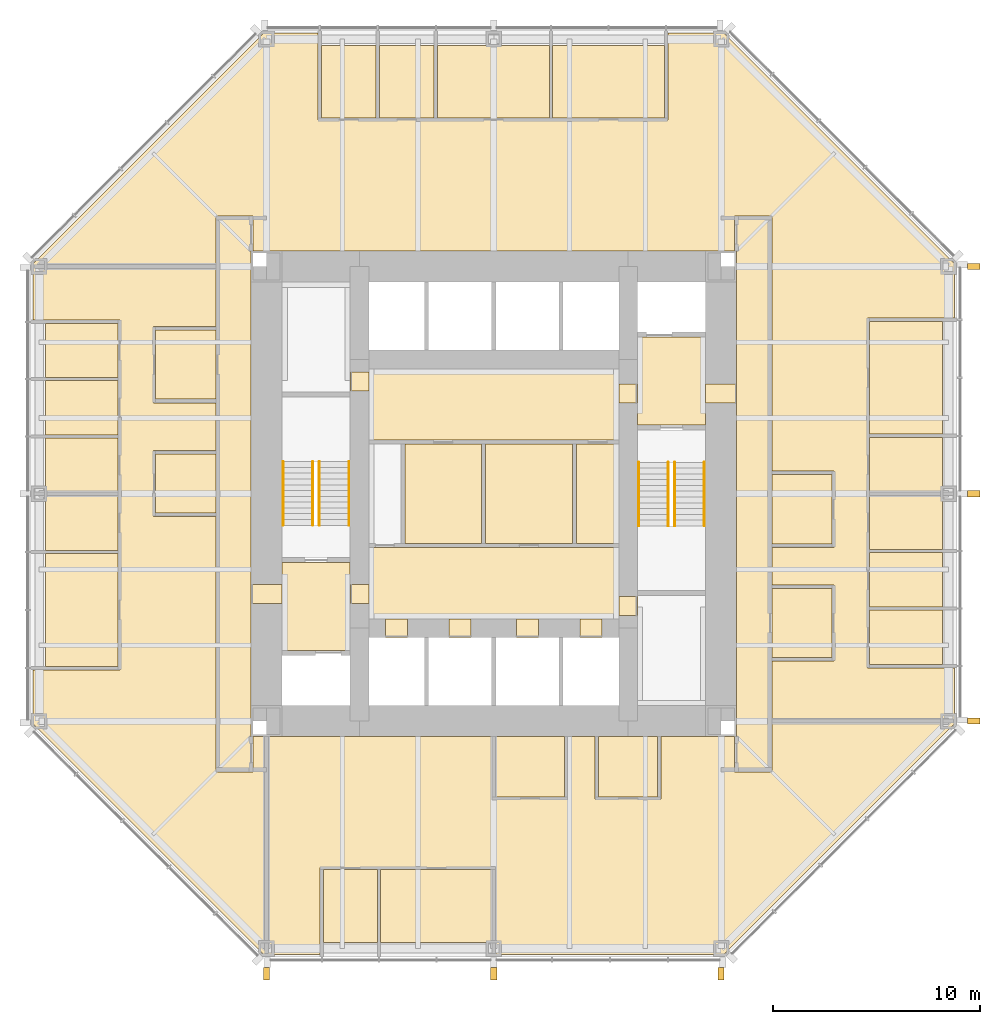
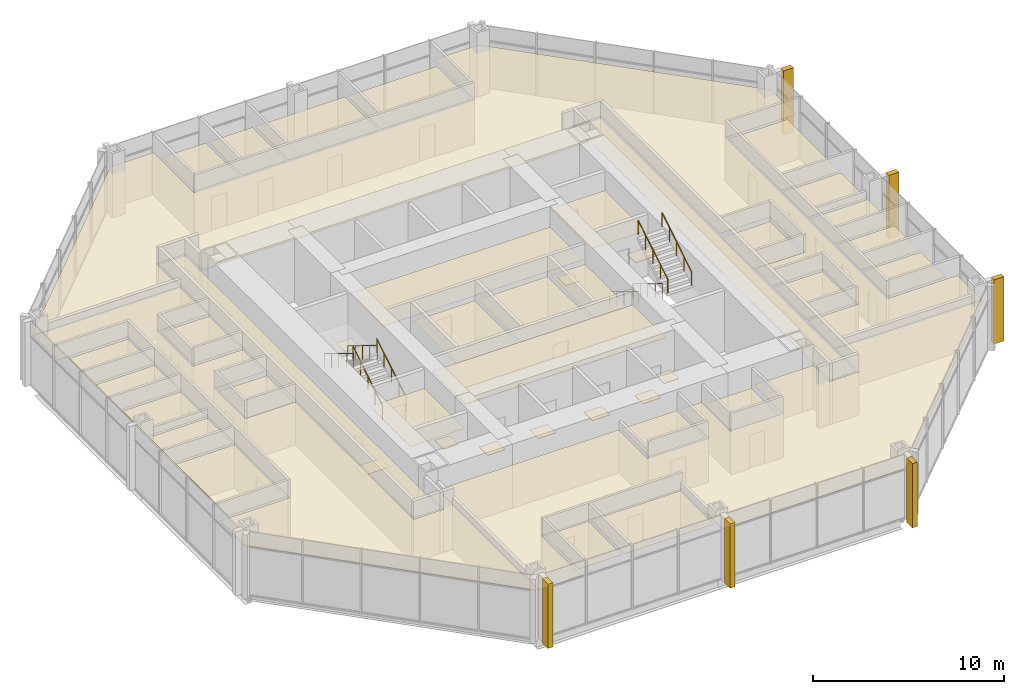
# One storey, part 12 of 12: 50 coverings, 8 railings.
"""IFC4 building model written with IfcOpenShell, lengths in metres."""

from ifc_helpers import new_model, si_unit, direction, frame, origin, origin_2d, place, context, subcontext, project, spatial, polyline, rectangle, circle, outline, extrude, material, layer, layer_set, type_object, element, save


model = new_model("IFC4")

# Units and contexts
model_context = context("Model", 3, precision=1e-05, world=origin(), true_north=direction((0.0, 1.0)))
body_context = subcontext(model_context, "Body", "Model", "MODEL_VIEW")
ifc_project = project(units=[si_unit("LENGTHUNIT", "METRE"), si_unit("AREAUNIT", "SQUARE_METRE"), si_unit("VOLUMEUNIT", "CUBIC_METRE"), si_unit("PLANEANGLEUNIT", "RADIAN"), si_unit("MASSUNIT", "GRAM", prefix="KILO")], contexts=[model_context])

# Site, building, storey
site_placement = place(None, origin())
site = spatial("IfcSite", under=ifc_project, at=site_placement, CompositionType="ELEMENT")
building_placement = place(site_placement, origin())
building = spatial("IfcBuilding", under=site, at=building_placement, Name="Trevanion Tower", CompositionType="ELEMENT")
storey_placement = place(building_placement, frame((0.0, 0.0, 117.199951171875)))
storey = spatial("IfcBuildingStorey", under=building, at=storey_placement, Name="L27", CompositionType="ELEMENT", Elevation=117.199951171875)

# Coverings
ifc_material_1 = material(Name="Fibrous plaster coffers on suspended steel grid", Category="steel")
ifc_layer_1 = layer(ifc_material_1, 0.050048828125)
ifc_layer_set_1 = layer_set([ifc_layer_1], Name="CL1 coffered fibrous plaster ceiling 50")
covering_type_1 = type_object("IfcCoveringType", Name="CL1 coffered fibrous plaster ceiling 50", PredefinedType="CEILING", material=ifc_layer_set_1)
covering_1_placement = place(storey_placement, frame((0.0, 0.0, 3.0)))
element("IfcCovering", 1, at=covering_1_placement, inside=storey, type_object=covering_type_1, Name="CL1 L27-LBS", PredefinedType="CEILING", context=body_context, shape_type="SweptSolid", body=[
    extrude(outline(polyline([(6.050048828125, -6.050048828125), (6.050048828125, -2.60009765625), (-6.050048828125, -2.60009765625), (-6.050048828125, -6.050048828125), (6.050048828125, -6.050048828125)])), origin(), (0.0, 0.0, 1.0), 0.050048828125),
])
ifc_material_2 = material(Name="Mineral fibre acoustic tiles in exposed grid", Category="mineral fibre")
ifc_layer_2 = layer(ifc_material_2, 0.02001953125)
ifc_layer_set_2 = layer_set([ifc_layer_2], Name="CL2 acoustic tile ceiling 20")
covering_type_2 = type_object("IfcCoveringType", Name="CL2 acoustic tile ceiling 20", PredefinedType="CEILING", material=ifc_layer_set_2)
covering_2_placement = place(storey_placement, frame((0.0, 0.0, 2.75)))
element("IfcCovering", 2, at=covering_2_placement, inside=storey, type_object=covering_type_2, Name="CL2 L27-LBN", PredefinedType="CEILING", context=body_context, shape_type="SweptSolid", body=[
    extrude(outline(polyline([(6.050048828125, 2.60009765625), (6.050048828125, 6.050048828125), (-6.050048828125, 6.050048828125), (-6.050048828125, 2.60009765625), (6.050048828125, 2.60009765625)])), origin(), (0.0, 0.0, 1.0), 0.02001953125),
])
covering_3_placement = place(storey_placement, frame((0.0, 0.0, 2.75)))
element("IfcCovering", 3, at=covering_3_placement, inside=storey, type_object=covering_type_2, Name="CL2 L27-CO1", PredefinedType="CEILING", context=body_context, shape_type="SweptSolid", body=[
    extrude(outline(polyline([(-11.75, 13.35009765625), (-11.75, -13.35009765625), (-13.35009765625, -13.35009765625), (-13.35009765625, 13.35009765625), (-11.75, 13.35009765625)])), origin(), (0.0, 0.0, 1.0), 0.02001953125),
])
covering_4_placement = place(storey_placement, frame((0.0, 0.0, 2.75)))
element("IfcCovering", 4, at=covering_4_placement, inside=storey, type_object=covering_type_2, Name="CL2 L27-CO2", PredefinedType="CEILING", context=body_context, shape_type="SweptSolid", body=[
    extrude(outline(polyline([(11.75, 13.35009765625), (13.35009765625, 13.35009765625), (13.35009765625, -13.35009765625), (11.75, -13.35009765625), (11.75, 13.35009765625)])), origin(), (0.0, 0.0, 1.0), 0.02001953125),
])
covering_5_placement = place(storey_placement, frame((0.0, 0.0, 2.75)))
element("IfcCovering", 5, at=covering_5_placement, inside=storey, type_object=covering_type_2, Name="CL2 L27-OF", PredefinedType="CEILING", context=body_context, shape_type="SweptSolid", body=[
    extrude(outline(polyline([(18.175048828125, -8.248046875), (18.175048828125, -5.6240234375), (21.699951171875, -5.6240234375), (21.699951171875, -8.248046875), (18.175048828125, -8.248046875)])), origin(), (0.0, 0.0, 1.0), 0.02001953125),
])
covering_6_placement = place(storey_placement, frame((0.0, 0.0, 2.75)))
element("IfcCovering", 6, at=covering_6_placement, inside=storey, type_object=covering_type_2, Name="CL2 L27-OF2", PredefinedType="CEILING", context=body_context, shape_type="SweptSolid", body=[
    extrude(outline(polyline([(18.175048828125, -5.47412109375), (18.175048828125, -2.85009765625), (21.699951171875, -2.85009765625), (21.699951171875, -5.47412109375), (18.175048828125, -5.47412109375)])), origin(), (0.0, 0.0, 1.0), 0.02001953125),
])
covering_7_placement = place(storey_placement, frame((0.0, 0.0, 2.75)))
element("IfcCovering", 7, at=covering_7_placement, inside=storey, type_object=covering_type_2, Name="CL2 L27-OF3", PredefinedType="CEILING", context=body_context, shape_type="SweptSolid", body=[
    extrude(outline(polyline([(18.175048828125, -2.699951171875), (18.175048828125, -0.074951171875), (21.699951171875, -0.074951171875), (21.699951171875, -2.699951171875), (18.175048828125, -2.699951171875)])), origin(), (0.0, 0.0, 1.0), 0.02001953125),
])
covering_8_placement = place(storey_placement, frame((0.0, 0.0, 2.75)))
element("IfcCovering", 8, at=covering_8_placement, inside=storey, type_object=covering_type_2, Name="CL2 L27-OF4", PredefinedType="CEILING", context=body_context, shape_type="SweptSolid", body=[
    extrude(outline(polyline([(18.175048828125, 0.074951171875), (18.175048828125, 2.73193359375), (21.699951171875, 2.73193359375), (21.699951171875, 0.074951171875), (18.175048828125, 0.074951171875)])), origin(), (0.0, 0.0, 1.0), 0.02001953125),
])
covering_9_placement = place(storey_placement, frame((0.0, 0.0, 2.75)))
element("IfcCovering", 9, at=covering_9_placement, inside=storey, type_object=covering_type_2, Name="CL2 L27-MR", PredefinedType="CEILING", context=body_context, shape_type="SweptSolid", body=[
    extrude(outline(polyline([(18.175048828125, 2.882080078125), (18.175048828125, 8.345947265625), (21.699951171875, 8.345947265625), (21.699951171875, 2.882080078125), (18.175048828125, 2.882080078125)])), origin(), (0.0, 0.0, 1.0), 0.02001953125),
])
covering_10_placement = place(storey_placement, frame((0.0, 0.0, 2.75)))
element("IfcCovering", 10, at=covering_10_placement, inside=storey, type_object=covering_type_2, Name="CL2 L27-MR2", PredefinedType="CEILING", context=body_context, shape_type="SweptSolid", body=[
    extrude(outline(polyline([(8.248046875, 18.175048828125), (2.85009765625, 18.175048828125), (2.85009765625, 21.699951171875), (8.248046875, 21.699951171875), (8.248046875, 18.175048828125)])), origin(), (0.0, 0.0, 1.0), 0.02001953125),
])
covering_11_placement = place(storey_placement, frame((0.0, 0.0, 2.75)))
element("IfcCovering", 11, at=covering_11_placement, inside=storey, type_object=covering_type_2, Name="CL2 L27-MR3", PredefinedType="CEILING", context=body_context, shape_type="SweptSolid", body=[
    extrude(outline(polyline([(2.699951171875, 18.175048828125), (-2.73193359375, 18.175048828125), (-2.73193359375, 21.699951171875), (2.699951171875, 21.699951171875), (2.699951171875, 18.175048828125)])), origin(), (0.0, 0.0, 1.0), 0.02001953125),
])
covering_12_placement = place(storey_placement, frame((0.0, 0.0, 2.75)))
element("IfcCovering", 12, at=covering_12_placement, inside=storey, type_object=covering_type_2, Name="CL2 L27-OF5", PredefinedType="CEILING", context=body_context, shape_type="SweptSolid", body=[
    extrude(outline(polyline([(-2.882080078125, 18.175048828125), (-5.5390625, 18.175048828125), (-5.5390625, 21.699951171875), (-2.882080078125, 21.699951171875), (-2.882080078125, 18.175048828125)])), origin(), (0.0, 0.0, 1.0), 0.02001953125),
])
covering_13_placement = place(storey_placement, frame((0.0, 0.0, 2.75)))
element("IfcCovering", 13, at=covering_13_placement, inside=storey, type_object=covering_type_2, Name="CL2 L27-OF6", PredefinedType="CEILING", context=body_context, shape_type="SweptSolid", body=[
    extrude(outline(polyline([(-5.68896484375, 18.175048828125), (-8.345947265625, 18.175048828125), (-8.345947265625, 21.699951171875), (-5.68896484375, 21.699951171875), (-5.68896484375, 18.175048828125)])), origin(), (0.0, 0.0, 1.0), 0.02001953125),
])
covering_14_placement = place(storey_placement, frame((0.0, 0.0, 2.75)))
element("IfcCovering", 14, at=covering_14_placement, inside=storey, type_object=covering_type_2, Name="CL2 L27-OF7", PredefinedType="CEILING", context=body_context, shape_type="SweptSolid", body=[
    extrude(outline(polyline([(-18.175048828125, 8.248046875), (-18.175048828125, 5.6240234375), (-21.699951171875, 5.6240234375), (-21.699951171875, 8.248046875), (-18.175048828125, 8.248046875)])), origin(), (0.0, 0.0, 1.0), 0.02001953125),
])
covering_15_placement = place(storey_placement, frame((0.0, 0.0, 2.75)))
element("IfcCovering", 15, at=covering_15_placement, inside=storey, type_object=covering_type_2, Name="CL2 L27-OF8", PredefinedType="CEILING", context=body_context, shape_type="SweptSolid", body=[
    extrude(outline(polyline([(-18.175048828125, 5.47412109375), (-18.175048828125, 2.85009765625), (-21.699951171875, 2.85009765625), (-21.699951171875, 5.47412109375), (-18.175048828125, 5.47412109375)])), origin(), (0.0, 0.0, 1.0), 0.02001953125),
])
covering_16_placement = place(storey_placement, frame((0.0, 0.0, 2.75)))
element("IfcCovering", 16, at=covering_16_placement, inside=storey, type_object=covering_type_2, Name="CL2 L27-OF9", PredefinedType="CEILING", context=body_context, shape_type="SweptSolid", body=[
    extrude(outline(polyline([(-18.175048828125, 2.699951171875), (-18.175048828125, 0.074951171875), (-21.699951171875, 0.074951171875), (-21.699951171875, 2.699951171875), (-18.175048828125, 2.699951171875)])), origin(), (0.0, 0.0, 1.0), 0.02001953125),
])
covering_17_placement = place(storey_placement, frame((0.0, 0.0, 2.75)))
element("IfcCovering", 17, at=covering_17_placement, inside=storey, type_object=covering_type_2, Name="CL2 L27-OF10", PredefinedType="CEILING", context=body_context, shape_type="SweptSolid", body=[
    extrude(outline(polyline([(-18.175048828125, -0.074951171875), (-18.175048828125, -2.73193359375), (-21.699951171875, -2.73193359375), (-21.699951171875, -0.074951171875), (-18.175048828125, -0.074951171875)])), origin(), (0.0, 0.0, 1.0), 0.02001953125),
])
covering_18_placement = place(storey_placement, frame((0.0, 0.0, 2.75)))
element("IfcCovering", 18, at=covering_18_placement, inside=storey, type_object=covering_type_2, Name="CL2 L27-MR4", PredefinedType="CEILING", context=body_context, shape_type="SweptSolid", body=[
    extrude(outline(polyline([(-18.175048828125, -2.882080078125), (-18.175048828125, -8.345947265625), (-21.699951171875, -8.345947265625), (-21.699951171875, -2.882080078125), (-18.175048828125, -2.882080078125)])), origin(), (0.0, 0.0, 1.0), 0.02001953125),
])
covering_19_placement = place(storey_placement, frame((0.0, 0.0, 2.75)))
element("IfcCovering", 19, at=covering_19_placement, inside=storey, type_object=covering_type_2, Name="CL2 L27-OF11", PredefinedType="CEILING", context=body_context, shape_type="SweptSolid", body=[
    extrude(outline(polyline([(-8.248046875, -18.175048828125), (-5.6240234375, -18.175048828125), (-5.6240234375, -21.699951171875), (-8.248046875, -21.699951171875), (-8.248046875, -18.175048828125)])), origin(), (0.0, 0.0, 1.0), 0.02001953125),
])
covering_20_placement = place(storey_placement, frame((0.0, 0.0, 2.75)))
element("IfcCovering", 20, at=covering_20_placement, inside=storey, type_object=covering_type_2, Name="CL2 L27-MR5", PredefinedType="CEILING", context=body_context, shape_type="SweptSolid", body=[
    extrude(outline(polyline([(-5.47412109375, -18.175048828125), (-0.074951171875, -18.175048828125), (-0.074951171875, -21.699951171875), (-5.47412109375, -21.699951171875), (-5.47412109375, -18.175048828125)])), origin(), (0.0, 0.0, 1.0), 0.02001953125),
])
covering_21_placement = place(storey_placement, frame((0.0, 0.0, 2.75)))
element("IfcCovering", 21, at=covering_21_placement, inside=storey, type_object=covering_type_2, Name="CL2 L27-RC", PredefinedType="CEILING", context=body_context, shape_type="SweptSolid", body=[
    extrude(outline(polyline([(13.449951171875, -7.925048828125), (13.449951171875, -4.574951171875), (16.375, -4.574951171875), (16.375, -7.925048828125), (13.449951171875, -7.925048828125)])), origin(), (0.0, 0.0, 1.0), 0.02001953125),
])
covering_22_placement = place(storey_placement, frame((0.0, 0.0, 2.75)))
element("IfcCovering", 22, at=covering_22_placement, inside=storey, type_object=covering_type_2, Name="CL2 L27-RC2", PredefinedType="CEILING", context=body_context, shape_type="SweptSolid", body=[
    extrude(outline(polyline([(-13.449951171875, 7.925048828125), (-13.449951171875, 4.574951171875), (-16.375, 4.574951171875), (-16.375, 7.925048828125), (-13.449951171875, 7.925048828125)])), origin(), (0.0, 0.0, 1.0), 0.02001953125),
])
covering_23_placement = place(storey_placement, frame((0.0, 0.0, 2.75)))
element("IfcCovering", 23, at=covering_23_placement, inside=storey, type_object=covering_type_2, Name="CL2 L27-RC3", PredefinedType="CEILING", context=body_context, shape_type="SweptSolid", body=[
    extrude(outline(polyline([(3.425048828125, -14.675048828125), (0.074951171875, -14.675048828125), (0.074951171875, -11.75), (3.425048828125, -11.75), (3.425048828125, -14.675048828125)])), origin(), (0.0, 0.0, 1.0), 0.02001953125),
])
covering_24_placement = place(storey_placement, frame((0.0, 0.0, 2.75)))
element("IfcCovering", 24, at=covering_24_placement, inside=storey, type_object=covering_type_2, Name="CL2 L27-OP", PredefinedType="CEILING", context=body_context, shape_type="SweptSolid", body=[
    extrude(outline(polyline([(11.64990234375, 13.449951171875), (11.64990234375, 11.75), (-11.64990234375, 11.75), (-11.64990234375, 13.449951171875), (-13.449951171875, 13.449951171875), (-13.449951171875, 11.0), (-22.300048828125, 11.0), (-22.300048828125, 11.124267578125), (-11.124267578125, 22.300048828125), (-8.51611328125, 22.300048828125), (-8.51611328125, 18.080078125), (8.41796875, 18.080078125), (8.41796875, 22.300048828125), (11.124267578125, 22.300048828125), (22.300048828125, 11.124267578125), (22.300048828125, 8.51611328125), (18.080078125, 8.51611328125), (18.080078125, -8.41796875), (22.300048828125, -8.41796875), (22.300048828125, -11.0), (13.449951171875, -11.0), (13.449951171875, -8.094970703125), (16.469970703125, -8.094970703125), (16.469970703125, -4.405029296875), (13.449951171875, -4.405029296875), (13.449951171875, -2.594970703125), (16.469970703125, -2.594970703125), (16.469970703125, 1.094970703125), (13.449951171875, 1.094970703125), (13.449951171875, 13.449951171875), (11.64990234375, 13.449951171875)])), origin(), (0.0, 0.0, 1.0), 0.02001953125),
])
covering_25_placement = place(storey_placement, frame((0.0, 0.0, 2.75)))
element("IfcCovering", 25, at=covering_25_placement, inside=storey, type_object=covering_type_2, Name="CL2 L27-OP2", PredefinedType="CEILING", context=body_context, shape_type="SweptSolid", body=[
    extrude(outline(polyline([(-13.449951171875, 8.094970703125), (-16.469970703125, 8.094970703125), (-16.469970703125, 4.405029296875), (-13.449951171875, 4.405029296875), (-13.449951171875, 2.094970703125), (-16.469970703125, 2.094970703125), (-16.469970703125, -1.094970703125), (-13.449951171875, -1.094970703125), (-13.449951171875, -13.449951171875), (-11.64990234375, -13.449951171875), (-11.64990234375, -11.75), (-11.0, -11.75), (-11.0, -22.300048828125), (-11.124267578125, -22.300048828125), (-22.300048828125, -11.124267578125), (-22.300048828125, -8.51611328125), (-18.080078125, -8.51611328125), (-18.080078125, 8.41796875), (-22.300048828125, 8.41796875), (-22.300048828125, 11.0), (-13.449951171875, 11.0), (-13.449951171875, 8.094970703125)])), origin(), (0.0, 0.0, 1.0), 0.02001953125),
])
covering_26_placement = place(storey_placement, frame((0.0, 0.0, 2.75)))
element("IfcCovering", 26, at=covering_26_placement, inside=storey, type_object=covering_type_2, Name="CL2 L27-OP3", PredefinedType="CEILING", context=body_context, shape_type="SweptSolid", body=[
    extrude(outline(polyline([(-0.094970703125, -11.75), (-0.094970703125, -14.77001953125), (3.594970703125, -14.77001953125), (3.594970703125, -11.75), (4.905029296875, -11.75), (4.905029296875, -14.77001953125), (8.094970703125, -14.77001953125), (8.094970703125, -11.75), (11.64990234375, -11.75), (11.64990234375, -13.449951171875), (13.449951171875, -13.449951171875), (13.449951171875, -11.0), (22.300048828125, -11.0), (22.300048828125, -11.124267578125), (11.124267578125, -22.300048828125), (0.094970703125, -22.300048828125), (0.094970703125, -18.080078125), (-8.41796875, -18.080078125), (-8.41796875, -22.300048828125), (-11.0, -22.300048828125), (-11.0, -11.75), (-0.094970703125, -11.75)])), origin(), (0.0, 0.0, 1.0), 0.02001953125),
])
ifc_material_3 = material(Name="Gypsum plasterboard on suspended metal furring", Category="gypsum")
ifc_layer_3 = layer(ifc_material_3, 0.012939453125)
ifc_layer_set_3 = layer_set([ifc_layer_3], Name="CL3 plasterboard ceiling 13")
covering_type_3 = type_object("IfcCoveringType", Name="CL3 plasterboard ceiling 13", PredefinedType="CEILING", material=ifc_layer_set_3)
covering_27_placement = place(storey_placement, frame((0.0, 0.0, 2.699951171875)))
element("IfcCovering", 27, at=covering_27_placement, inside=storey, type_object=covering_type_3, Name="CL3 L27-FV1", PredefinedType="CEILING", context=body_context, shape_type="SweptSolid", body=[
    extrude(outline(polyline([(10.25, 3.324951171875), (10.25, 7.574951171875), (6.949951171875, 7.574951171875), (6.949951171875, 3.324951171875), (10.25, 3.324951171875)])), origin(), (0.0, 0.0, 1.0), 0.01318359375),
])
covering_28_placement = place(storey_placement, frame((0.0, 0.0, 2.699951171875)))
element("IfcCovering", 28, at=covering_28_placement, inside=storey, type_object=covering_type_3, Name="CL3 L27-FV2", PredefinedType="CEILING", context=body_context, shape_type="SweptSolid", body=[
    extrude(outline(polyline([(-10.25, -3.324951171875), (-10.25, -7.574951171875), (-6.949951171875, -7.574951171875), (-6.949951171875, -3.324951171875), (-10.25, -3.324951171875)])), origin(), (0.0, 0.0, 1.0), 0.01318359375),
])
ifc_material_4 = material(Name="Moisture-resistant gypsum board on suspended metal furring", Category="gypsum")
ifc_layer_4 = layer(ifc_material_4, 0.01611328125)
ifc_layer_set_4 = layer_set([ifc_layer_4], Name="CL4 moisture-resistant board ceiling 16")
covering_type_4 = type_object("IfcCoveringType", Name="CL4 moisture-resistant board ceiling 16", PredefinedType="CEILING", material=ifc_layer_set_4)
covering_29_placement = place(storey_placement, frame((0.0, 0.0, 2.60009765625)))
element("IfcCovering", 29, at=covering_29_placement, inside=storey, type_object=covering_type_4, Name="CL4 L27-WCM", PredefinedType="CEILING", context=body_context, shape_type="SweptSolid", body=[
    extrude(outline(polyline([(-0.60009765625, -2.39990234375), (-0.60009765625, 2.39990234375), (-4.300048828125, 2.39990234375), (-4.300048828125, -2.39990234375), (-0.60009765625, -2.39990234375)])), origin(), (0.0, 0.0, 1.0), 0.015869140625),
])
covering_30_placement = place(storey_placement, frame((0.0, 0.0, 2.60009765625)))
element("IfcCovering", 30, at=covering_30_placement, inside=storey, type_object=covering_type_4, Name="CL4 L27-WCF", PredefinedType="CEILING", context=body_context, shape_type="SweptSolid", body=[
    extrude(outline(polyline([(3.800048828125, -2.39990234375), (3.800048828125, 2.39990234375), (-0.39990234375, 2.39990234375), (-0.39990234375, -2.39990234375), (3.800048828125, -2.39990234375)])), origin(), (0.0, 0.0, 1.0), 0.015869140625),
])
covering_31_placement = place(storey_placement, frame((0.0, 0.0, 2.60009765625)))
element("IfcCovering", 31, at=covering_31_placement, inside=storey, type_object=covering_type_4, Name="CL4 L27-WCA", PredefinedType="CEILING", context=body_context, shape_type="SweptSolid", body=[
    extrude(outline(polyline([(6.050048828125, -2.39990234375), (6.050048828125, 2.39990234375), (4.0, 2.39990234375), (4.0, -2.39990234375), (6.050048828125, -2.39990234375)])), origin(), (0.0, 0.0, 1.0), 0.015869140625),
])
covering_32_placement = place(storey_placement, frame((0.0, 0.0, 2.60009765625)))
element("IfcCovering", 32, at=covering_32_placement, inside=storey, type_object=covering_type_4, Name="CL4 L27-PA", PredefinedType="CEILING", context=body_context, shape_type="SweptSolid", body=[
    extrude(outline(polyline([(13.449951171875, -2.425048828125), (13.449951171875, 0.925048828125), (16.375, 0.925048828125), (16.375, -2.425048828125), (13.449951171875, -2.425048828125)])), origin(), (0.0, 0.0, 1.0), 0.015869140625),
])
covering_33_placement = place(storey_placement, frame((0.0, 0.0, 2.60009765625)))
element("IfcCovering", 33, at=covering_33_placement, inside=storey, type_object=covering_type_4, Name="CL4 L27-PA2", PredefinedType="CEILING", context=body_context, shape_type="SweptSolid", body=[
    extrude(outline(polyline([(-13.449951171875, 1.925048828125), (-13.449951171875, -0.925048828125), (-16.375, -0.925048828125), (-16.375, 1.925048828125), (-13.449951171875, 1.925048828125)])), origin(), (0.0, 0.0, 1.0), 0.015869140625),
])
covering_34_placement = place(storey_placement, frame((0.0, 0.0, 2.60009765625)))
element("IfcCovering", 34, at=covering_34_placement, inside=storey, type_object=covering_type_4, Name="CL4 L27-PA3", PredefinedType="CEILING", context=body_context, shape_type="SweptSolid", body=[
    extrude(outline(polyline([(7.925048828125, -14.675048828125), (5.074951171875, -14.675048828125), (5.074951171875, -11.75), (7.925048828125, -11.75), (7.925048828125, -14.675048828125)])), origin(), (0.0, 0.0, 1.0), 0.015869140625),
])
ifc_material_5 = material(Name="Cast bronze fin on aluminium carrier", Category="aluminium")
covering_type_5 = type_object("IfcCoveringType", Name="F1 bronze fin", PredefinedType="CLADDING", material=ifc_material_5)
for number, where, z_axis, x_axis, name in (
    (35, (23.22509765625, -11.0, -0.18994140625), (0.0, 0.0, 1.0), (0.0, 1.0, 0.0), "F1 L27 east -11.0"),
    (36, (23.22509765625, 0.0, -0.18994140625), (0.0, 0.0, 1.0), (0.0, 1.0, 0.0), "F1 L27 east +0.0"),
    (37, (23.22509765625, 11.0, -0.18994140625), (0.0, 0.0, 1.0), (0.0, 1.0, 0.0), "F1 L27 east +11.0"),
    (38, (-11.0, -23.22509765625, -0.18994140625), (0.0, 0.0, 1.0), (1.0, 0.0, 0.0), "F1 L27 south -11.0"),
    (39, (0.0, -23.22509765625, -0.18994140625), (0.0, 0.0, 1.0), (1.0, 0.0, 0.0), "F1 L27 south +0.0"),
    (40, (11.0, -23.22509765625, -0.18994140625), (0.0, 0.0, 1.0), (1.0, 0.0, 0.0), "F1 L27 south +11.0"),
):
    element("IfcCovering", number, at=place(storey_placement, frame(where, z_axis=z_axis, x_axis=x_axis)), inside=storey, type_object=covering_type_5, Name=name, PredefinedType="CLADDING", context=body_context, shape_type="SweptSolid", body=[
        extrude(rectangle(XDim=0.300048828125, YDim=0.60009765625, at=origin_2d()), origin(), (0.0, 0.0, 1.0), 4.10009765625),
    ])
ifc_material_6 = material(Name="Terrazzo, brass divider strips", Category="stone")
ifc_layer_5 = layer(ifc_material_6, 0.02001953125)
ifc_layer_set_5 = layer_set([ifc_layer_5], Name="FF1 terrazzo flooring")
covering_type_6 = type_object("IfcCoveringType", Name="FF1 terrazzo flooring", PredefinedType="FLOORING", material=ifc_layer_set_5)
covering_35_placement = place(storey_placement, origin())
element("IfcCovering", 41, at=covering_35_placement, inside=storey, type_object=covering_type_6, Name="FF1 threshold 27-001", PredefinedType="FLOORING", context=body_context, shape_type="SweptSolid", body=[
    extrude(outline(polyline([(11.75, 4.392578125), (11.75, 5.3076171875), (10.25, 5.3076171875), (10.25, 4.392578125), (11.75, 4.392578125)])), origin(), (0.0, 0.0, 1.0), 0.02001953125),
])
covering_36_placement = place(storey_placement, origin())
element("IfcCovering", 42, at=covering_36_placement, inside=storey, type_object=covering_type_6, Name="FF1 threshold 27-002", PredefinedType="FLOORING", context=body_context, shape_type="SweptSolid", body=[
    extrude(outline(polyline([(-11.75, -4.392578125), (-11.75, -5.3076171875), (-10.25, -5.3076171875), (-10.25, -4.392578125), (-11.75, -4.392578125)])), origin(), (0.0, 0.0, 1.0), 0.02001953125),
])
covering_37_placement = place(storey_placement, origin())
element("IfcCovering", 43, at=covering_37_placement, inside=storey, type_object=covering_type_6, Name="FF1 threshold 27-003", PredefinedType="FLOORING", context=body_context, shape_type="SweptSolid", body=[
    extrude(outline(polyline([(6.949951171875, 4.392578125), (6.949951171875, 5.3076171875), (6.050048828125, 5.3076171875), (6.050048828125, 4.392578125), (6.949951171875, 4.392578125)])), origin(), (0.0, 0.0, 1.0), 0.02001953125),
])
covering_38_placement = place(storey_placement, origin())
element("IfcCovering", 44, at=covering_38_placement, inside=storey, type_object=covering_type_6, Name="FF1 threshold 27-004", PredefinedType="FLOORING", context=body_context, shape_type="SweptSolid", body=[
    extrude(outline(polyline([(-6.949951171875, -4.392578125), (-6.949951171875, -5.3076171875), (-6.050048828125, -5.3076171875), (-6.050048828125, -4.392578125), (-6.949951171875, -4.392578125)])), origin(), (0.0, 0.0, 1.0), 0.02001953125),
])
covering_39_placement = place(storey_placement, origin())
element("IfcCovering", 45, at=covering_39_placement, inside=storey, type_object=covering_type_6, Name="FF1 threshold 27-009", PredefinedType="FLOORING", context=body_context, shape_type="SweptSolid", body=[
    extrude(outline(polyline([(6.949951171875, -5.889892578125), (6.949951171875, -4.97509765625), (6.050048828125, -4.97509765625), (6.050048828125, -5.889892578125), (6.949951171875, -5.889892578125)])), origin(), (0.0, 0.0, 1.0), 0.02001953125),
])
covering_40_placement = place(storey_placement, origin())
element("IfcCovering", 46, at=covering_40_placement, inside=storey, type_object=covering_type_6, Name="FF1 threshold 27-010", PredefinedType="FLOORING", context=body_context, shape_type="SweptSolid", body=[
    extrude(outline(polyline([(-6.949951171875, 5.889892578125), (-6.949951171875, 4.97509765625), (-6.050048828125, 4.97509765625), (-6.050048828125, 5.889892578125), (-6.949951171875, 5.889892578125)])), origin(), (0.0, 0.0, 1.0), 0.02001953125),
])
covering_41_placement = place(storey_placement, origin())
element("IfcCovering", 47, at=covering_41_placement, inside=storey, type_object=covering_type_6, Name="FF1 threshold 27-011", PredefinedType="FLOORING", context=body_context, shape_type="SweptSolid", body=[
    extrude(outline(polyline([(-5.2333984375, -6.949951171875), (-4.16650390625, -6.949951171875), (-4.16650390625, -6.050048828125), (-5.2333984375, -6.050048828125), (-5.2333984375, -6.949951171875)])), origin(), (0.0, 0.0, 1.0), 0.02001953125),
])
covering_42_placement = place(storey_placement, origin())
element("IfcCovering", 48, at=covering_42_placement, inside=storey, type_object=covering_type_6, Name="FF1 threshold 27-012", PredefinedType="FLOORING", context=body_context, shape_type="SweptSolid", body=[
    extrude(outline(polyline([(-2.158447265625, -6.949951171875), (-1.091552734375, -6.949951171875), (-1.091552734375, -6.050048828125), (-2.158447265625, -6.050048828125), (-2.158447265625, -6.949951171875)])), origin(), (0.0, 0.0, 1.0), 0.02001953125),
])
covering_43_placement = place(storey_placement, origin())
element("IfcCovering", 49, at=covering_43_placement, inside=storey, type_object=covering_type_6, Name="FF1 threshold 27-013", PredefinedType="FLOORING", context=body_context, shape_type="SweptSolid", body=[
    extrude(outline(polyline([(1.091552734375, -6.949951171875), (2.158447265625, -6.949951171875), (2.158447265625, -6.050048828125), (1.091552734375, -6.050048828125), (1.091552734375, -6.949951171875)])), origin(), (0.0, 0.0, 1.0), 0.02001953125),
])
covering_44_placement = place(storey_placement, origin())
element("IfcCovering", 50, at=covering_44_placement, inside=storey, type_object=covering_type_6, Name="FF1 threshold 27-014", PredefinedType="FLOORING", context=body_context, shape_type="SweptSolid", body=[
    extrude(outline(polyline([(4.16650390625, -6.949951171875), (5.2333984375, -6.949951171875), (5.2333984375, -6.050048828125), (4.16650390625, -6.050048828125), (4.16650390625, -6.949951171875)])), origin(), (0.0, 0.0, 1.0), 0.02001953125),
])

# Railings
ifc_material_7 = material(Name="Stainless steel tube 40 mm", Category="steel")
railing_type = type_object("IfcRailingType", Name="HR1 handrail", PredefinedType="HANDRAIL", material=ifc_material_7)
for number, where, name in (
    (51, (7.010009765625, 1.52490234375, 0.1708984375), "HR1 ST1 L27 flight 1"),
    (52, (8.43994140625, 1.52490234375, 0.1708984375), "HR1 ST1 L27 flight 1"),
):
    element("IfcRailing", number, at=place(storey_placement, frame(where)), inside=storey, type_object=railing_type, Name=name, PredefinedType="HANDRAIL", context=body_context, shape_type="SweptSolid", body=[
        extrude(circle(Radius=0.02001953125, at=origin_2d()), frame((0.0, 0.0, 0.8798828125), z_axis=(0.0, -0.853647949592, 0.520850437417), x_axis=(1.0, 0.0, 0.0)), (0.0, 0.0, 1.0), 3.60791015625),
        extrude(circle(Radius=0.01513671875, at=origin_2d()), origin(), (0.0, 0.0, 1.0), 0.85986328125),
        extrude(circle(Radius=0.01513671875, at=origin_2d()), frame((0.0, -0.77001953125, 0.4697265625)), (0.0, 0.0, 1.0), 0.85986328125),
        extrude(circle(Radius=0.01513671875, at=origin_2d()), frame((0.0, -1.5400390625, 0.939453125)), (0.0, 0.0, 1.0), 0.85986328125),
        extrude(circle(Radius=0.01513671875, at=origin_2d()), frame((0.0, -2.309814453125, 1.409423828125)), (0.0, 0.0, 1.0), 0.85986328125),
        extrude(circle(Radius=0.01513671875, at=origin_2d()), frame((0.0, -3.079833984375, 1.879150390625)), (0.0, 0.0, 1.0), 0.85986328125),
    ])
for number, where, name in (
    (53, (8.760009765625, -1.554931640625, 2.220947265625), "HR1 ST1 L27 flight 2"),
    (54, (10.18994140625, -1.554931640625, 2.220947265625), "HR1 ST1 L27 flight 2"),
    (55, (-7.010009765625, -1.52490234375, 0.1708984375), "HR1 ST2 L27 flight 1"),
    (56, (-8.43994140625, -1.52490234375, 0.1708984375), "HR1 ST2 L27 flight 1"),
):
    element("IfcRailing", number, at=place(storey_placement, frame(where)), inside=storey, type_object=railing_type, Name=name, PredefinedType="HANDRAIL", context=body_context, shape_type="SweptSolid", body=[
        extrude(circle(Radius=0.02001953125, at=origin_2d()), frame((0.0, 0.0, 0.8798828125), z_axis=(0.0, 0.853647949592, 0.520850437417), x_axis=(-1.0, 0.0, 0.0)), (0.0, 0.0, 1.0), 3.60791015625),
        extrude(circle(Radius=0.01513671875, at=origin_2d()), origin(), (0.0, 0.0, 1.0), 0.85986328125),
        extrude(circle(Radius=0.01513671875, at=origin_2d()), frame((0.0, 0.77001953125, 0.4697265625)), (0.0, 0.0, 1.0), 0.85986328125),
        extrude(circle(Radius=0.01513671875, at=origin_2d()), frame((0.0, 1.5400390625, 0.939453125)), (0.0, 0.0, 1.0), 0.85986328125),
        extrude(circle(Radius=0.01513671875, at=origin_2d()), frame((0.0, 2.309814453125, 1.409423828125)), (0.0, 0.0, 1.0), 0.85986328125),
        extrude(circle(Radius=0.01513671875, at=origin_2d()), frame((0.0, 3.079833984375, 1.879150390625)), (0.0, 0.0, 1.0), 0.85986328125),
    ])
for number, where, name in (
    (57, (-8.760009765625, 1.554931640625, 2.220947265625), "HR1 ST2 L27 flight 2"),
    (58, (-10.18994140625, 1.554931640625, 2.220947265625), "HR1 ST2 L27 flight 2"),
):
    element("IfcRailing", number, at=place(storey_placement, frame(where)), inside=storey, type_object=railing_type, Name=name, PredefinedType="HANDRAIL", context=body_context, shape_type="SweptSolid", body=[
        extrude(circle(Radius=0.02001953125, at=origin_2d()), frame((0.0, 0.0, 0.8798828125), z_axis=(0.0, -0.853647949592, 0.520850437417), x_axis=(1.0, 0.0, 0.0)), (0.0, 0.0, 1.0), 3.60791015625),
        extrude(circle(Radius=0.01513671875, at=origin_2d()), origin(), (0.0, 0.0, 1.0), 0.85986328125),
        extrude(circle(Radius=0.01513671875, at=origin_2d()), frame((0.0, -0.77001953125, 0.4697265625)), (0.0, 0.0, 1.0), 0.85986328125),
        extrude(circle(Radius=0.01513671875, at=origin_2d()), frame((0.0, -1.5400390625, 0.939453125)), (0.0, 0.0, 1.0), 0.85986328125),
        extrude(circle(Radius=0.01513671875, at=origin_2d()), frame((0.0, -2.309814453125, 1.409423828125)), (0.0, 0.0, 1.0), 0.85986328125),
        extrude(circle(Radius=0.01513671875, at=origin_2d()), frame((0.0, -3.079833984375, 1.879150390625)), (0.0, 0.0, 1.0), 0.85986328125),
    ])

save(model, "model.ifc")
